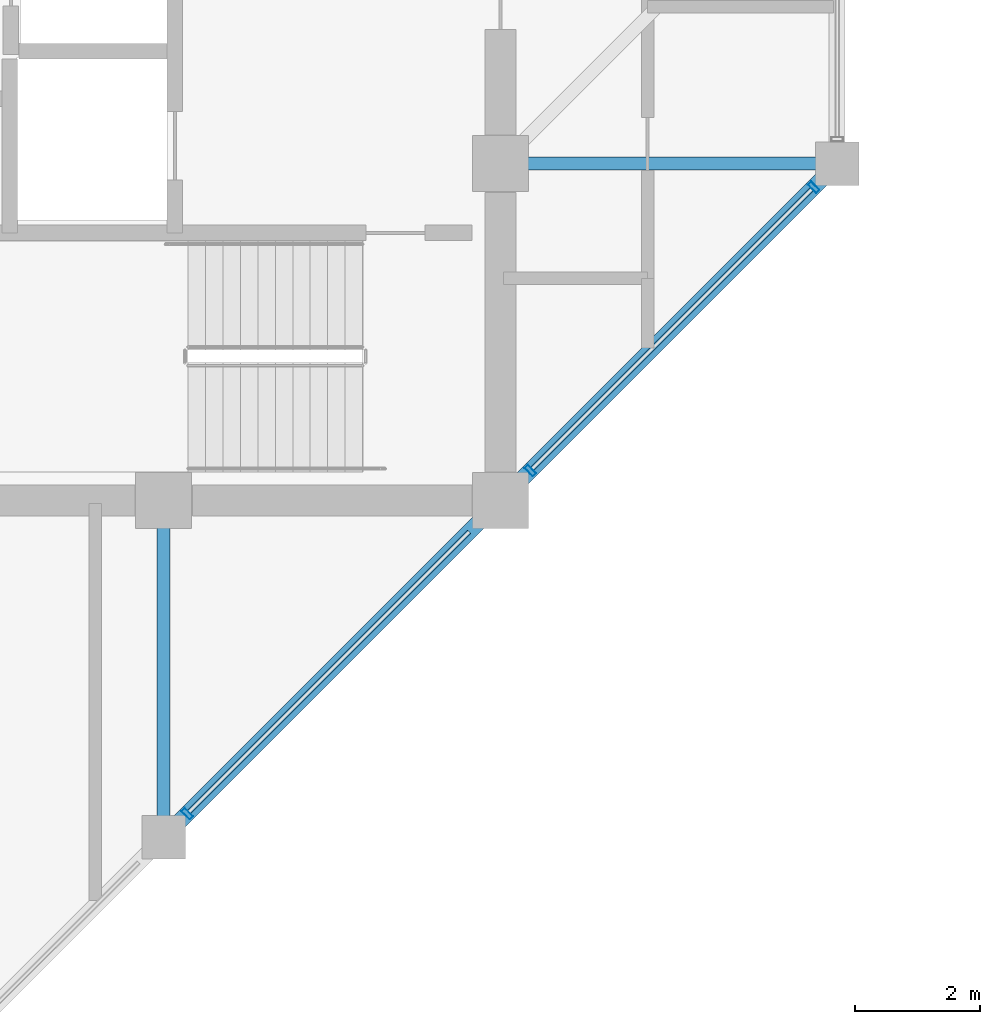
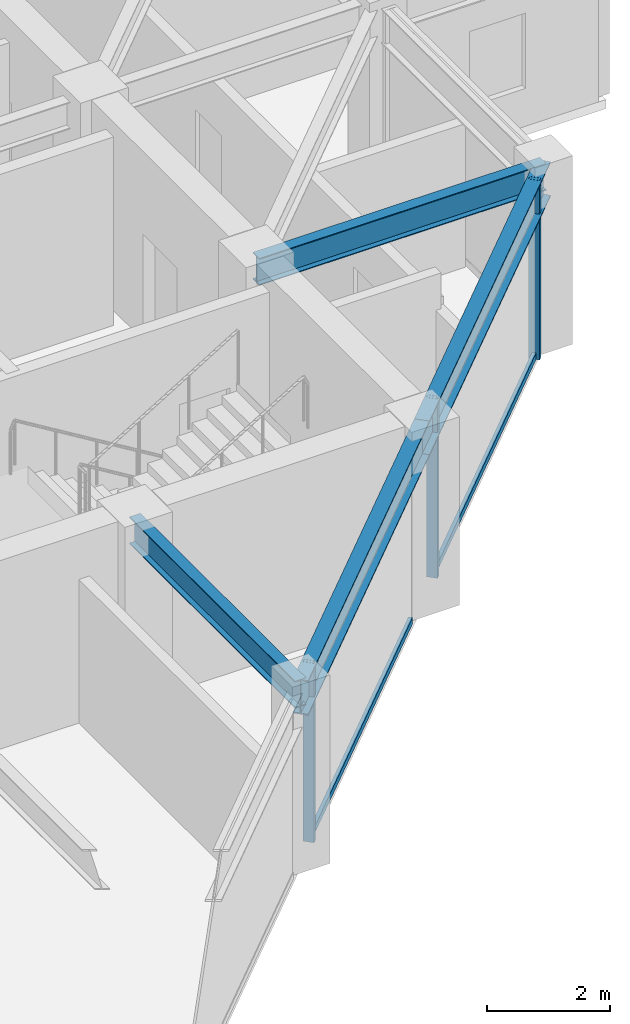
# One storey, part 12 of 32: 5 members, 4 beams, 1 element without a shape of its own.
"""IFC4 building model written with IfcOpenShell, lengths in metres."""

from ifc_helpers import new_model, si_unit, direction, frame, origin, origin_2d, place, context, subcontext, project, spatial, hollow_rectangle, i_section, extrude, material, layer, layer_set, material_profile, profile_set, type_object, element, aggregate, save


model = new_model("IFC4")

# Units and contexts
model_context = context("Model", 3, precision=1e-05, world=origin(), true_north=direction((0.0, 1.0)))
body_context = subcontext(model_context, "Body", "Model", "MODEL_VIEW")
ifc_project = project(units=[si_unit("LENGTHUNIT", "METRE"), si_unit("AREAUNIT", "SQUARE_METRE"), si_unit("VOLUMEUNIT", "CUBIC_METRE"), si_unit("PLANEANGLEUNIT", "RADIAN"), si_unit("MASSUNIT", "GRAM", prefix="KILO")], contexts=[model_context])

# Site, building, storey
site_placement = place(None, origin())
site = spatial("IfcSite", under=ifc_project, at=site_placement, CompositionType="ELEMENT")
building_placement = place(site_placement, origin())
building = spatial("IfcBuilding", under=site, at=building_placement, Name="Surkhivell Harbour Commons", CompositionType="ELEMENT")
storey_placement = place(building_placement, frame((0.0, 0.0, 311.25)))
storey = spatial("IfcBuildingStorey", under=building, at=storey_placement, Name="L81", CompositionType="ELEMENT", Elevation=311.25)

# Beams
ifc_material_1 = material(Name="Steel S355", Category="steel")
ifc_material_profile_1 = material_profile(ifc_material_1, i_section(OverallWidth=0.2099609375, OverallDepth=0.537109375, WebThickness=0.0107421875, FlangeThickness=0.017333984375, at=origin_2d()), Name="UB533x210x101")
ifc_profile_set_1 = profile_set([ifc_material_profile_1], Name="Steel S355")
beam_type_1 = type_object("IfcBeamType", Name="BM-GRD-533B", PredefinedType="BEAM", material=ifc_profile_set_1)
for number, where, z_axis, x_axis, name in (
    (1, (5.39990234375, -16.199951171875, 3.301513671875), (0.0, 1.0, 0.0), (-1.0, 0.0, 0.0), "L81 Floor Girder (5.4,-16.2)"),
    (2, (10.800048828125, -5.39990234375, 3.301513671875), (1.0, 0.0, 0.0), (0.0, 1.0, 0.0), "L81 Floor Girder (10.8,-5.4)"),
):
    element("IfcBeam", number, at=place(storey_placement, frame(where, z_axis=z_axis, x_axis=x_axis)), inside=storey, type_object=beam_type_1, Name=name, PredefinedType="BEAM", context=body_context, shape_type="SweptSolid", body=[
        extrude(i_section(OverallWidth=0.2099609375, OverallDepth=0.537109375, WebThickness=0.0107421875, FlangeThickness=0.017333984375, at=origin_2d()), origin(), (0.0, 0.0, 1.0), 5.39990234375),
    ])
ifc_material_profile_2 = material_profile(ifc_material_1, i_section(OverallWidth=0.256103515625, OverallDepth=0.693115234375, WebThickness=0.014404296875, FlangeThickness=0.023681640625, at=origin_2d()), Name="UB686x254x170")
ifc_profile_set_2 = profile_set([ifc_material_profile_2], Name="Steel S355")
beam_type_2 = type_object("IfcBeamType", Name="BM-SPN-686", PredefinedType="SPANDREL", material=ifc_profile_set_2)
for number, where, z_axis, x_axis, name in (
    (3, (5.39990234375, -16.199951171875, 3.223388671875), (0.707122765516, 0.707090796496, 0.0), (-0.707090796496, 0.707122765516, 0.0), "L81 Tube Spandrel (5.4,-16.2)"),
    (4, (10.800048828125, -10.800048828125, 3.223388671875), (0.707090796496, 0.707122765516, 0.0), (-0.707122765516, 0.707090796496, 0.0), "L81 Tube Spandrel (10.8,-10.8)"),
):
    element("IfcBeam", number, at=place(storey_placement, frame(where, z_axis=z_axis, x_axis=x_axis)), inside=storey, type_object=beam_type_2, Name=name, PredefinedType="SPANDREL", context=body_context, shape_type="SweptSolid", body=[
        extrude(i_section(OverallWidth=0.256103515625, OverallDepth=0.693115234375, WebThickness=0.014404296875, FlangeThickness=0.023681640625, at=origin_2d()), origin(), (0.0, 0.0, 1.0), 7.63671875),
    ])

# Curtain wall, members
ifc_material_2 = material(Name="Anodised pale-metal aluminium and insulated glazing", Category="aluminium")
ifc_layer = layer(ifc_material_2, 0.175048828125)
ifc_layer_set = layer_set([ifc_layer], Name="Anodised pale-metal aluminium and insulated glazing")
curtain_wall_type = type_object("IfcCurtainWallType", Name="CW-SYS-Z4", PredefinedType="NOTDEFINED", material=ifc_layer_set)
curtain_wall_placement = place(storey_placement, origin())
curtain_wall = element("IfcCurtainWall", 5, at=curtain_wall_placement, inside=storey, type_object=curtain_wall_type, Name="L81 Curtain Wall CW-L81-E01", PredefinedType="NOTDEFINED")
ifc_material_3 = material(Name="Anodised pale-metal aluminium alloy 6063-T6", Category="aluminium")
ifc_material_profile_3 = material_profile(ifc_material_3, hollow_rectangle(XDim=0.074951171875, YDim=0.18994140625, WallThickness=0.00390625, at=origin_2d()), Name="ALU-MULL-75x190")
ifc_profile_set_3 = profile_set([ifc_material_profile_3], Name="Anodised pale-metal aluminium alloy 6063-T6")
member_type_1 = type_object("IfcMemberType", Name="CWM-190", PredefinedType="MULLION", material=ifc_profile_set_3)
member_1_placement = place(storey_placement, frame((5.778076171875, -15.82177734375, 0.0), z_axis=(0.0, 0.0, 1.0), x_axis=(0.707106781187, 0.707106781187, 0.0)))
member_1 = element("IfcMember", 6, at=member_1_placement, type_object=member_type_1, Name="CW-Z4 mullion 2", PredefinedType="MULLION", context=body_context, shape_type="SweptSolid", body=[
    extrude(hollow_rectangle(XDim=0.074951171875, YDim=0.18994140625, WallThickness=0.00390625, at=origin_2d()), origin(), (0.0, 0.0, 1.0), 3.570068359375),
])
member_2_placement = place(storey_placement, frame((11.278076171875, -10.32177734375, 0.0), z_axis=(0.0, 0.0, 1.0), x_axis=(0.707106781187, 0.707106781187, 0.0)))
member_2 = element("IfcMember", 7, at=member_2_placement, type_object=member_type_1, Name="CW-Z4 mullion 3", PredefinedType="MULLION", context=body_context, shape_type="SweptSolid", body=[
    extrude(hollow_rectangle(XDim=0.074951171875, YDim=0.18994140625, WallThickness=0.00390625, at=origin_2d()), origin(), (0.0, 0.0, 1.0), 3.570068359375),
])
member_3_placement = place(storey_placement, frame((15.82177734375, -5.778076171875, 0.0), z_axis=(0.0, 0.0, 1.0), x_axis=(0.707106781187, 0.707106781187, 0.0)))
member_3 = element("IfcMember", 8, at=member_3_placement, type_object=member_type_1, Name="CW-Z4 mullion 4", PredefinedType="MULLION", context=body_context, shape_type="SweptSolid", body=[
    extrude(hollow_rectangle(XDim=0.074951171875, YDim=0.18994140625, WallThickness=0.00390625, at=origin_2d()), origin(), (0.0, 0.0, 1.0), 3.570068359375),
])
ifc_material_4 = material(Name="Champagne anodised aluminium alloy 6063-T6", Category="aluminium")
ifc_material_profile_4 = material_profile(ifc_material_4, hollow_rectangle(XDim=0.070068359375, YDim=0.1298828125, WallThickness=0.00341796875, at=origin_2d()), Name="ALU-TRAN-70x130")
ifc_profile_set_4 = profile_set([ifc_material_profile_4], Name="Champagne anodised aluminium alloy 6063-T6")
member_type_2 = type_object("IfcMemberType", Name="CWT-130", PredefinedType="USERDEFINED", material=ifc_profile_set_4)
member_4_placement = place(storey_placement, frame((5.8046875, -15.79541015625, 0.06494140625), z_axis=(0.707106781187, 0.707106781187, 0.0), x_axis=(-0.707106781187, 0.707106781187, 0.0)))
member_4 = element("IfcMember", 9, at=member_4_placement, type_object=member_type_2, Name="CW-Z4 transom 2.1", ObjectType="TRANSOM", PredefinedType="USERDEFINED", context=body_context, shape_type="SweptSolid", body=[
    extrude(hollow_rectangle(XDim=0.070068359375, YDim=0.1298828125, WallThickness=0.00341796875, at=origin_2d()), origin(), (0.0, 0.0, 1.0), 6.350830078125),
])
member_5_placement = place(storey_placement, frame((11.3046875, -10.29541015625, 0.06494140625), z_axis=(0.707106781187, 0.707106781187, 0.0), x_axis=(-0.707106781187, 0.707106781187, 0.0)))
member_5 = element("IfcMember", 10, at=member_5_placement, type_object=member_type_2, Name="CW-Z4 transom 3.1", ObjectType="TRANSOM", PredefinedType="USERDEFINED", context=body_context, shape_type="SweptSolid", body=[
    extrude(hollow_rectangle(XDim=0.070068359375, YDim=0.1298828125, WallThickness=0.00341796875, at=origin_2d()), origin(), (0.0, 0.0, 1.0), 6.350830078125),
])
aggregate(curtain_wall, [member_1, member_4, member_2, member_3, member_5])

save(model, "model.ifc")
